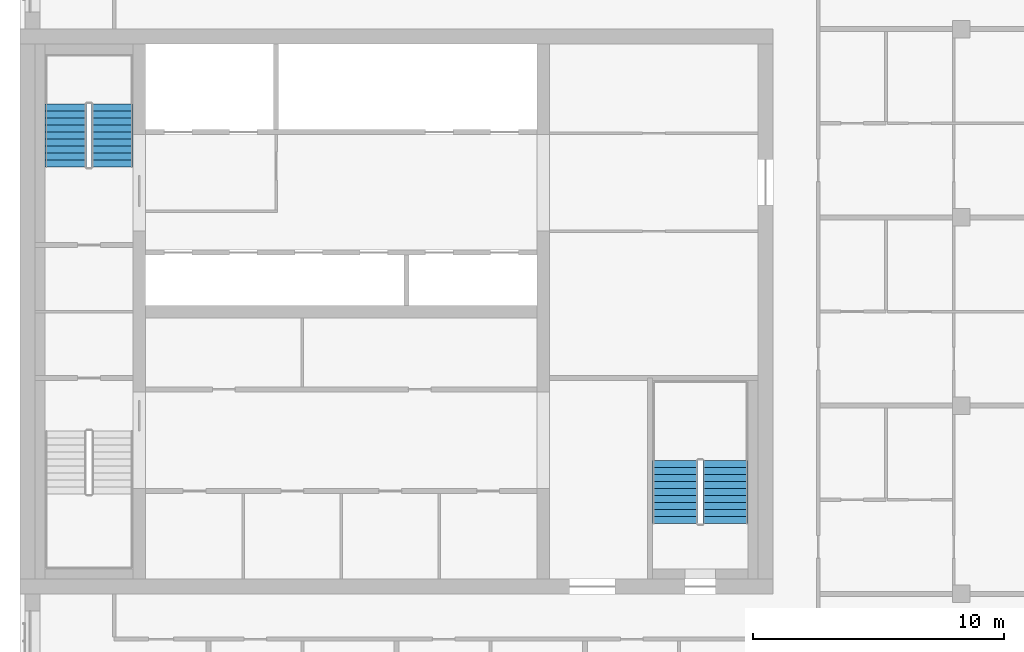
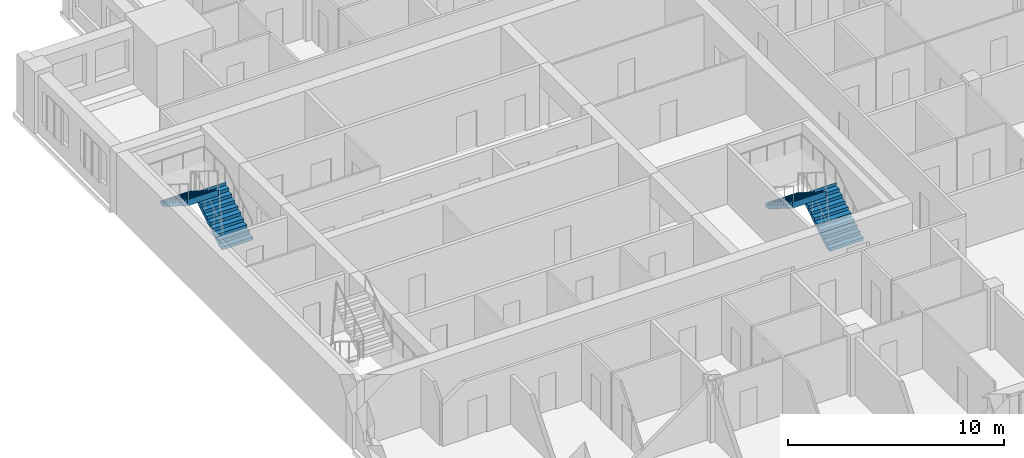
# One storey, part 9 of 10: 4 stair flights, 2 elements without a shape of their own.
"""IFC4 building model written with IfcOpenShell, lengths in metres."""

from ifc_helpers import new_model, si_unit, direction, frame, origin, place, context, subcontext, project, spatial, polyline, outline, extrude, material, type_object, element, aggregate, save


model = new_model("IFC4")

# Units and contexts
model_context = context("Model", 3, precision=1e-05, world=origin(), true_north=direction((0.0, 1.0)))
body_context = subcontext(model_context, "Body", "Model", "MODEL_VIEW")
ifc_project = project(units=[si_unit("LENGTHUNIT", "METRE"), si_unit("AREAUNIT", "SQUARE_METRE"), si_unit("VOLUMEUNIT", "CUBIC_METRE"), si_unit("PLANEANGLEUNIT", "RADIAN"), si_unit("MASSUNIT", "GRAM", prefix="KILO")], contexts=[model_context])

# Site, building, storey
site_placement = place(None, origin())
site = spatial("IfcSite", under=ifc_project, at=site_placement, CompositionType="ELEMENT")
building_placement = place(site_placement, origin())
building = spatial("IfcBuilding", under=site, at=building_placement, Name="Tamorin Gate", CompositionType="ELEMENT")
storey_placement = place(building_placement, frame((0.0, 0.0, 276.699951171875)))
storey = spatial("IfcBuildingStorey", under=building, at=storey_placement, Name="L69", CompositionType="ELEMENT", Elevation=276.699951171875)

# Stair, stair flights
ifc_material = material(Name="Concrete C40/50", Category="concrete")
stair_type = type_object("IfcStairType", Name="Exit stair", PredefinedType="HALF_TURN_STAIR", material=ifc_material)
stair_1_placement = place(storey_placement, origin())
stair_1 = element("IfcStair", 1, at=stair_1_placement, inside=storey, type_object=stair_type, Name="L69 stair ST2", PredefinedType="HALF_TURN_STAIR")
stair_flight_type = type_object("IfcStairFlightType", Name="Exit stair flight", PredefinedType="STRAIGHT", material=ifc_material)
stair_flight_1_placement = place(storey_placement, frame((33.675048828125, 77.0, 0.0), z_axis=(0.0, 0.0, 1.0), x_axis=(0.0, 1.0, 0.0)))
stair_flight_1 = element("IfcStairFlight", 2, at=stair_flight_1_placement, type_object=stair_flight_type, Name="ST2 flight 1", NumberOfRisers=10, NumberOfTreads=9, PredefinedType="STRAIGHT", RiserHeight=0.175, TreadLength=0.28, context=body_context, shape_type="SweptSolid", body=[
    extrude(outline(polyline([(-0.00048828125, 0.0), (-0.00048828125, 0.001708984375), (-0.00048828125, 0.00341796875), (-0.00048828125, 0.005126953125), (-0.00048828125, 0.0068359375), (-0.00048828125, 0.008544921875), (-0.00048828125, 0.010498046875), (-0.00048828125, 0.01220703125), (-0.00048828125, 0.013916015625), (-0.00048828125, 0.015625), (-0.00048828125, 0.017333984375), (-0.00048828125, 0.01904296875), (-0.00048828125, 0.020751953125), (-0.00048828125, 0.0224609375), (-0.00048828125, 0.024169921875), (-0.00048828125, 0.02587890625), (-0.00048828125, 0.02783203125), (-0.00048828125, 0.029541015625), (-0.00048828125, 0.03125), (-0.00048828125, 0.032958984375), (-0.00048828125, 0.03466796875), (-0.00048828125, 0.036376953125), (-0.00048828125, 0.0380859375), (-0.00048828125, 0.039794921875), (-0.00048828125, 0.04150390625), (-0.00048828125, 0.043212890625), (-0.00048828125, 0.045166015625), (-0.00048828125, 0.046875), (-0.00048828125, 0.048583984375), (-0.00048828125, 0.05029296875), (-0.00048828125, 0.052001953125), (-0.00048828125, 0.0537109375), (-0.00048828125, 0.055419921875), (-0.00048828125, 0.05712890625), (-0.00048828125, 0.058837890625), (-0.00048828125, 0.060546875), (-0.00048828125, 0.062255859375), (-0.00048828125, 0.064208984375), (-0.00048828125, 0.06591796875), (-0.00048828125, 0.067626953125), (-0.00048828125, 0.0693359375), (-0.00048828125, 0.071044921875), (-0.00048828125, 0.07275390625), (-0.00048828125, 0.074462890625), (-0.00048828125, 0.076171875), (-0.00048828125, 0.077880859375), (-0.00048828125, 0.07958984375), (-0.00048828125, 0.08154296875), (-0.00048828125, 0.083251953125), (-0.00048828125, 0.0849609375), (-0.00048828125, 0.086669921875), (-0.00048828125, 0.08837890625), (-0.00048828125, 0.090087890625), (-0.00048828125, 0.091796875), (-0.00048828125, 0.093505859375), (-0.00048828125, 0.09521484375), (-0.00048828125, 0.096923828125), (-0.00048828125, 0.098876953125), (-0.00048828125, 0.1005859375), (-0.00048828125, 0.102294921875), (-0.00048828125, 0.10400390625), (-0.00048828125, 0.105712890625), (-0.00048828125, 0.107421875), (-0.00048828125, 0.109130859375), (-0.00048828125, 0.11083984375), (-0.00048828125, 0.112548828125), (-0.00048828125, 0.1142578125), (-0.00048828125, 0.1162109375), (-0.00048828125, 0.117919921875), (-0.00048828125, 0.11962890625), (-0.00048828125, 0.121337890625), (-0.00048828125, 0.123046875), (-0.00048828125, 0.124755859375), (-0.00048828125, 0.12646484375), (-0.00048828125, 0.128173828125), (-0.00048828125, 0.1298828125), (-0.00048828125, 0.131591796875), (-0.00048828125, 0.13330078125), (-0.00048828125, 0.13525390625), (-0.00048828125, 0.136962890625), (-0.00048828125, 0.138671875), (-0.00048828125, 0.140380859375), (-0.00048828125, 0.14208984375), (-0.00048828125, 0.143798828125), (-0.00048828125, 0.1455078125), (-0.00048828125, 0.147216796875), (-0.00048828125, 0.14892578125), (-0.00048828125, 0.150634765625), (-0.00048828125, 0.152587890625), (-0.00048828125, 0.154296875), (-0.00048828125, 0.156005859375), (-0.00048828125, 0.15771484375), (-0.00048828125, 0.159423828125), (-0.00048828125, 0.1611328125), (-0.00048828125, 0.162841796875), (-0.00048828125, 0.16455078125), (-0.00048828125, 0.166259765625), (-0.00048828125, 0.16796875), (-0.00048828125, 0.169921875), (-0.00048828125, 0.171630859375), (-0.00048828125, 0.17333984375), (-0.00048828125, 0.175048828125), (0.280029296875, 0.175048828125), (0.280029296875, 0.35009765625), (0.56005859375, 0.35009765625), (0.56005859375, 0.52490234375), (0.840087890625, 0.52490234375), (0.840087890625, 0.699951171875), (1.1201171875, 0.699951171875), (1.1201171875, 0.875), (1.39990234375, 0.875), (1.39990234375, 1.050048828125), (1.679931640625, 1.050048828125), (1.679931640625, 1.22509765625), (1.9599609375, 1.22509765625), (1.9599609375, 1.39990234375), (2.239990234375, 1.39990234375), (2.239990234375, 1.574951171875), (2.52001953125, 1.574951171875), (2.52001953125, 1.75), (2.5205078125, 1.75), (2.5205078125, 1.74658203125), (2.5205078125, 1.742919921875), (2.5205078125, 1.739501953125), (2.5205078125, 1.736083984375), (2.5205078125, 1.732666015625), (2.5205078125, 1.72900390625), (2.5205078125, 1.7255859375), (2.5205078125, 1.72216796875), (2.5205078125, 1.71875), (2.5205078125, 1.715087890625), (2.5205078125, 1.711669921875), (2.5205078125, 1.708251953125), (2.5205078125, 1.704833984375), (2.5205078125, 1.701171875), (2.5205078125, 1.69775390625), (2.5205078125, 1.6943359375), (2.5205078125, 1.690673828125), (2.5205078125, 1.687255859375), (2.5205078125, 1.683837890625), (2.5205078125, 1.680419921875), (2.5205078125, 1.6767578125), (2.5205078125, 1.67333984375), (2.5205078125, 1.669921875), (2.5205078125, 1.66650390625), (2.5205078125, 1.662841796875), (2.5205078125, 1.659423828125), (2.5205078125, 1.656005859375), (2.5205078125, 1.652587890625), (2.5205078125, 1.64892578125), (2.5205078125, 1.6455078125), (2.5205078125, 1.64208984375), (2.5205078125, 1.638427734375), (2.5205078125, 1.635009765625), (2.5205078125, 1.631591796875), (2.5205078125, 1.628173828125), (2.5205078125, 1.62451171875), (2.5205078125, 1.62109375), (2.5205078125, 1.61767578125), (2.5205078125, 1.6142578125), (2.5205078125, 1.610595703125), (2.5205078125, 1.607177734375), (2.5205078125, 1.603759765625), (2.5205078125, 1.600341796875), (2.5205078125, 1.5966796875), (2.5205078125, 1.59326171875), (2.5205078125, 1.58984375), (2.5205078125, 1.58642578125), (2.5205078125, 1.582763671875), (2.5205078125, 1.579345703125), (2.5205078125, 1.575927734375), (2.5205078125, 1.572265625), (2.5205078125, 1.56884765625), (2.5205078125, 1.5654296875), (2.5205078125, 1.56201171875), (2.5205078125, 1.558349609375), (2.5205078125, 1.554931640625), (2.5205078125, 1.551513671875), (2.5205078125, 1.548095703125), (2.5205078125, 1.54443359375), (2.5205078125, 1.541015625), (2.5205078125, 1.53759765625), (2.5205078125, 1.5341796875), (2.5205078125, 1.530517578125), (2.5205078125, 1.527099609375), (2.5205078125, 1.523681640625), (2.5205078125, 1.52001953125), (2.5205078125, 1.5166015625), (2.5205078125, 1.51318359375), (2.5205078125, 1.509765625), (2.5205078125, 1.506103515625), (2.5205078125, 1.502685546875), (2.5205078125, 1.499267578125), (2.5205078125, 1.495849609375), (2.5205078125, 1.4921875), (2.5205078125, 1.48876953125), (2.5205078125, 1.4853515625), (2.5205078125, 1.48193359375), (2.5205078125, 1.478271484375), (2.5205078125, 1.474853515625), (2.5205078125, 1.471435546875), (2.5205078125, 1.4677734375), (2.5205078125, 1.46435546875), (2.5205078125, 1.4609375), (2.5205078125, 1.45751953125), (2.5205078125, 1.453857421875), (2.5205078125, 1.450439453125), (2.5205078125, 1.447021484375), (2.5205078125, 1.443603515625), (2.5205078125, 1.43994140625), (2.5205078125, 1.4365234375), (2.5205078125, 1.43310546875), (2.5205078125, 1.4296875), (2.5205078125, 1.426025390625), (2.5205078125, 1.422607421875), (2.5205078125, 1.419189453125), (2.5205078125, 1.41552734375), (2.5205078125, 1.412109375), (2.5205078125, 1.40869140625), (2.5205078125, 1.4052734375), (2.5205078125, 1.401611328125), (2.5205078125, 1.398193359375), (2.52001953125, 1.398193359375), (0.28271484375, 0.0), (-0.00048828125, 0.0)])), frame((0.0, 0.824951171875, 0.0), z_axis=(0.0, -1.0, 0.0), x_axis=(1.0, 0.0, 0.0)), (0.0, 0.0, 1.0), 1.64990234375),
])
stair_flight_2_placement = place(storey_placement, frame((31.824951171875, 79.52001953125, 1.75), z_axis=(0.0, 0.0, 1.0), x_axis=(0.0, -1.0, 0.0)))
stair_flight_2 = element("IfcStairFlight", 3, at=stair_flight_2_placement, type_object=stair_flight_type, Name="ST2 flight 2", NumberOfRisers=10, NumberOfTreads=9, PredefinedType="STRAIGHT", RiserHeight=0.175, TreadLength=0.28, context=body_context, shape_type="SweptSolid", body=[
    extrude(outline(polyline([(-0.00048828125, 0.0), (-0.00048828125, 0.001708984375), (-0.00048828125, 0.00341796875), (-0.00048828125, 0.005126953125), (-0.00048828125, 0.0068359375), (-0.00048828125, 0.008544921875), (-0.00048828125, 0.010498046875), (-0.00048828125, 0.01220703125), (-0.00048828125, 0.013916015625), (-0.00048828125, 0.015625), (-0.00048828125, 0.017333984375), (-0.00048828125, 0.01904296875), (-0.00048828125, 0.020751953125), (-0.00048828125, 0.0224609375), (-0.00048828125, 0.024169921875), (-0.00048828125, 0.02587890625), (-0.00048828125, 0.02783203125), (-0.00048828125, 0.029541015625), (-0.00048828125, 0.03125), (-0.00048828125, 0.032958984375), (-0.00048828125, 0.03466796875), (-0.00048828125, 0.036376953125), (-0.00048828125, 0.0380859375), (-0.00048828125, 0.039794921875), (-0.00048828125, 0.04150390625), (-0.00048828125, 0.043212890625), (-0.00048828125, 0.045166015625), (-0.00048828125, 0.046875), (-0.00048828125, 0.048583984375), (-0.00048828125, 0.05029296875), (-0.00048828125, 0.052001953125), (-0.00048828125, 0.0537109375), (-0.00048828125, 0.055419921875), (-0.00048828125, 0.05712890625), (-0.00048828125, 0.058837890625), (-0.00048828125, 0.060546875), (-0.00048828125, 0.062255859375), (-0.00048828125, 0.064208984375), (-0.00048828125, 0.06591796875), (-0.00048828125, 0.067626953125), (-0.00048828125, 0.0693359375), (-0.00048828125, 0.071044921875), (-0.00048828125, 0.07275390625), (-0.00048828125, 0.074462890625), (-0.00048828125, 0.076171875), (-0.00048828125, 0.077880859375), (-0.00048828125, 0.07958984375), (-0.00048828125, 0.08154296875), (-0.00048828125, 0.083251953125), (-0.00048828125, 0.0849609375), (-0.00048828125, 0.086669921875), (-0.00048828125, 0.08837890625), (-0.00048828125, 0.090087890625), (-0.00048828125, 0.091796875), (-0.00048828125, 0.093505859375), (-0.00048828125, 0.09521484375), (-0.00048828125, 0.096923828125), (-0.00048828125, 0.098876953125), (-0.00048828125, 0.1005859375), (-0.00048828125, 0.102294921875), (-0.00048828125, 0.10400390625), (-0.00048828125, 0.105712890625), (-0.00048828125, 0.107421875), (-0.00048828125, 0.109130859375), (-0.00048828125, 0.11083984375), (-0.00048828125, 0.112548828125), (-0.00048828125, 0.1142578125), (-0.00048828125, 0.1162109375), (-0.00048828125, 0.117919921875), (-0.00048828125, 0.11962890625), (-0.00048828125, 0.121337890625), (-0.00048828125, 0.123046875), (-0.00048828125, 0.124755859375), (-0.00048828125, 0.12646484375), (-0.00048828125, 0.128173828125), (-0.00048828125, 0.1298828125), (-0.00048828125, 0.131591796875), (-0.00048828125, 0.13330078125), (-0.00048828125, 0.13525390625), (-0.00048828125, 0.136962890625), (-0.00048828125, 0.138671875), (-0.00048828125, 0.140380859375), (-0.00048828125, 0.14208984375), (-0.00048828125, 0.143798828125), (-0.00048828125, 0.1455078125), (-0.00048828125, 0.147216796875), (-0.00048828125, 0.14892578125), (-0.00048828125, 0.150634765625), (-0.00048828125, 0.152587890625), (-0.00048828125, 0.154296875), (-0.00048828125, 0.156005859375), (-0.00048828125, 0.15771484375), (-0.00048828125, 0.159423828125), (-0.00048828125, 0.1611328125), (-0.00048828125, 0.162841796875), (-0.00048828125, 0.16455078125), (-0.00048828125, 0.166259765625), (-0.00048828125, 0.16796875), (-0.00048828125, 0.169921875), (-0.00048828125, 0.171630859375), (-0.00048828125, 0.17333984375), (-0.00048828125, 0.175048828125), (0.280029296875, 0.175048828125), (0.280029296875, 0.35009765625), (0.56005859375, 0.35009765625), (0.56005859375, 0.52490234375), (0.840087890625, 0.52490234375), (0.840087890625, 0.699951171875), (1.1201171875, 0.699951171875), (1.1201171875, 0.875), (1.39990234375, 0.875), (1.39990234375, 1.050048828125), (1.679931640625, 1.050048828125), (1.679931640625, 1.22509765625), (1.9599609375, 1.22509765625), (1.9599609375, 1.39990234375), (2.239990234375, 1.39990234375), (2.239990234375, 1.574951171875), (2.52001953125, 1.574951171875), (2.52001953125, 1.75), (2.5205078125, 1.75), (2.5205078125, 1.74658203125), (2.5205078125, 1.742919921875), (2.5205078125, 1.739501953125), (2.5205078125, 1.736083984375), (2.5205078125, 1.732666015625), (2.5205078125, 1.72900390625), (2.5205078125, 1.7255859375), (2.5205078125, 1.72216796875), (2.5205078125, 1.71875), (2.5205078125, 1.715087890625), (2.5205078125, 1.711669921875), (2.5205078125, 1.708251953125), (2.5205078125, 1.704833984375), (2.5205078125, 1.701171875), (2.5205078125, 1.69775390625), (2.5205078125, 1.6943359375), (2.5205078125, 1.690673828125), (2.5205078125, 1.687255859375), (2.5205078125, 1.683837890625), (2.5205078125, 1.680419921875), (2.5205078125, 1.6767578125), (2.5205078125, 1.67333984375), (2.5205078125, 1.669921875), (2.5205078125, 1.66650390625), (2.5205078125, 1.662841796875), (2.5205078125, 1.659423828125), (2.5205078125, 1.656005859375), (2.5205078125, 1.652587890625), (2.5205078125, 1.64892578125), (2.5205078125, 1.6455078125), (2.5205078125, 1.64208984375), (2.5205078125, 1.638427734375), (2.5205078125, 1.635009765625), (2.5205078125, 1.631591796875), (2.5205078125, 1.628173828125), (2.5205078125, 1.62451171875), (2.5205078125, 1.62109375), (2.5205078125, 1.61767578125), (2.5205078125, 1.6142578125), (2.5205078125, 1.610595703125), (2.5205078125, 1.607177734375), (2.5205078125, 1.603759765625), (2.5205078125, 1.600341796875), (2.5205078125, 1.5966796875), (2.5205078125, 1.59326171875), (2.5205078125, 1.58984375), (2.5205078125, 1.58642578125), (2.5205078125, 1.582763671875), (2.5205078125, 1.579345703125), (2.5205078125, 1.575927734375), (2.5205078125, 1.572265625), (2.5205078125, 1.56884765625), (2.5205078125, 1.5654296875), (2.5205078125, 1.56201171875), (2.5205078125, 1.558349609375), (2.5205078125, 1.554931640625), (2.5205078125, 1.551513671875), (2.5205078125, 1.548095703125), (2.5205078125, 1.54443359375), (2.5205078125, 1.541015625), (2.5205078125, 1.53759765625), (2.5205078125, 1.5341796875), (2.5205078125, 1.530517578125), (2.5205078125, 1.527099609375), (2.5205078125, 1.523681640625), (2.5205078125, 1.52001953125), (2.5205078125, 1.5166015625), (2.5205078125, 1.51318359375), (2.5205078125, 1.509765625), (2.5205078125, 1.506103515625), (2.5205078125, 1.502685546875), (2.5205078125, 1.499267578125), (2.5205078125, 1.495849609375), (2.5205078125, 1.4921875), (2.5205078125, 1.48876953125), (2.5205078125, 1.4853515625), (2.5205078125, 1.48193359375), (2.5205078125, 1.478271484375), (2.5205078125, 1.474853515625), (2.5205078125, 1.471435546875), (2.5205078125, 1.4677734375), (2.5205078125, 1.46435546875), (2.5205078125, 1.4609375), (2.5205078125, 1.45751953125), (2.5205078125, 1.453857421875), (2.5205078125, 1.450439453125), (2.5205078125, 1.447021484375), (2.5205078125, 1.443603515625), (2.5205078125, 1.43994140625), (2.5205078125, 1.4365234375), (2.5205078125, 1.43310546875), (2.5205078125, 1.4296875), (2.5205078125, 1.426025390625), (2.5205078125, 1.422607421875), (2.5205078125, 1.419189453125), (2.5205078125, 1.41552734375), (2.5205078125, 1.412109375), (2.5205078125, 1.40869140625), (2.5205078125, 1.4052734375), (2.5205078125, 1.401611328125), (2.5205078125, 1.398193359375), (2.52001953125, 1.398193359375), (0.28271484375, 0.0), (-0.00048828125, 0.0)])), frame((0.0, 0.824951171875, 0.0), z_axis=(0.0, -1.0, 0.0), x_axis=(1.0, 0.0, 0.0)), (0.0, 0.0, 1.0), 1.64990234375),
])
aggregate(stair_1, [stair_flight_1, stair_flight_2])

stair_2_placement = place(storey_placement, origin())
stair_2 = element("IfcStair", 4, at=stair_2_placement, inside=storey, type_object=stair_type, Name="L69 stair ST3", PredefinedType="HALF_TURN_STAIR")
stair_flight_3_placement = place(storey_placement, frame((58.10009765625, 62.800048828125, 0.0), z_axis=(0.0, 0.0, 1.0), x_axis=(0.0, 1.0, 0.0)))
stair_flight_3 = element("IfcStairFlight", 5, at=stair_flight_3_placement, type_object=stair_flight_type, Name="ST3 flight 1", NumberOfRisers=10, NumberOfTreads=9, PredefinedType="STRAIGHT", RiserHeight=0.175, TreadLength=0.28, context=body_context, shape_type="SweptSolid", body=[
    extrude(outline(polyline([(-0.00048828125, 0.0), (-0.00048828125, 0.001708984375), (-0.00048828125, 0.00341796875), (-0.00048828125, 0.005126953125), (-0.00048828125, 0.0068359375), (-0.00048828125, 0.008544921875), (-0.00048828125, 0.010498046875), (-0.00048828125, 0.01220703125), (-0.00048828125, 0.013916015625), (-0.00048828125, 0.015625), (-0.00048828125, 0.017333984375), (-0.00048828125, 0.01904296875), (-0.00048828125, 0.020751953125), (-0.00048828125, 0.0224609375), (-0.00048828125, 0.024169921875), (-0.00048828125, 0.02587890625), (-0.00048828125, 0.02783203125), (-0.00048828125, 0.029541015625), (-0.00048828125, 0.03125), (-0.00048828125, 0.032958984375), (-0.00048828125, 0.03466796875), (-0.00048828125, 0.036376953125), (-0.00048828125, 0.0380859375), (-0.00048828125, 0.039794921875), (-0.00048828125, 0.04150390625), (-0.00048828125, 0.043212890625), (-0.00048828125, 0.045166015625), (-0.00048828125, 0.046875), (-0.00048828125, 0.048583984375), (-0.00048828125, 0.05029296875), (-0.00048828125, 0.052001953125), (-0.00048828125, 0.0537109375), (-0.00048828125, 0.055419921875), (-0.00048828125, 0.05712890625), (-0.00048828125, 0.058837890625), (-0.00048828125, 0.060546875), (-0.00048828125, 0.062255859375), (-0.00048828125, 0.064208984375), (-0.00048828125, 0.06591796875), (-0.00048828125, 0.067626953125), (-0.00048828125, 0.0693359375), (-0.00048828125, 0.071044921875), (-0.00048828125, 0.07275390625), (-0.00048828125, 0.074462890625), (-0.00048828125, 0.076171875), (-0.00048828125, 0.077880859375), (-0.00048828125, 0.07958984375), (-0.00048828125, 0.08154296875), (-0.00048828125, 0.083251953125), (-0.00048828125, 0.0849609375), (-0.00048828125, 0.086669921875), (-0.00048828125, 0.08837890625), (-0.00048828125, 0.090087890625), (-0.00048828125, 0.091796875), (-0.00048828125, 0.093505859375), (-0.00048828125, 0.09521484375), (-0.00048828125, 0.096923828125), (-0.00048828125, 0.098876953125), (-0.00048828125, 0.1005859375), (-0.00048828125, 0.102294921875), (-0.00048828125, 0.10400390625), (-0.00048828125, 0.105712890625), (-0.00048828125, 0.107421875), (-0.00048828125, 0.109130859375), (-0.00048828125, 0.11083984375), (-0.00048828125, 0.112548828125), (-0.00048828125, 0.1142578125), (-0.00048828125, 0.1162109375), (-0.00048828125, 0.117919921875), (-0.00048828125, 0.11962890625), (-0.00048828125, 0.121337890625), (-0.00048828125, 0.123046875), (-0.00048828125, 0.124755859375), (-0.00048828125, 0.12646484375), (-0.00048828125, 0.128173828125), (-0.00048828125, 0.1298828125), (-0.00048828125, 0.131591796875), (-0.00048828125, 0.13330078125), (-0.00048828125, 0.13525390625), (-0.00048828125, 0.136962890625), (-0.00048828125, 0.138671875), (-0.00048828125, 0.140380859375), (-0.00048828125, 0.14208984375), (-0.00048828125, 0.143798828125), (-0.00048828125, 0.1455078125), (-0.00048828125, 0.147216796875), (-0.00048828125, 0.14892578125), (-0.00048828125, 0.150634765625), (-0.00048828125, 0.152587890625), (-0.00048828125, 0.154296875), (-0.00048828125, 0.156005859375), (-0.00048828125, 0.15771484375), (-0.00048828125, 0.159423828125), (-0.00048828125, 0.1611328125), (-0.00048828125, 0.162841796875), (-0.00048828125, 0.16455078125), (-0.00048828125, 0.166259765625), (-0.00048828125, 0.16796875), (-0.00048828125, 0.169921875), (-0.00048828125, 0.171630859375), (-0.00048828125, 0.17333984375), (-0.00048828125, 0.175048828125), (0.280029296875, 0.175048828125), (0.280029296875, 0.35009765625), (0.56005859375, 0.35009765625), (0.56005859375, 0.52490234375), (0.840087890625, 0.52490234375), (0.840087890625, 0.699951171875), (1.1201171875, 0.699951171875), (1.1201171875, 0.875), (1.39990234375, 0.875), (1.39990234375, 1.050048828125), (1.679931640625, 1.050048828125), (1.679931640625, 1.22509765625), (1.9599609375, 1.22509765625), (1.9599609375, 1.39990234375), (2.239990234375, 1.39990234375), (2.239990234375, 1.574951171875), (2.52001953125, 1.574951171875), (2.52001953125, 1.75), (2.5205078125, 1.75), (2.5205078125, 1.74658203125), (2.5205078125, 1.742919921875), (2.5205078125, 1.739501953125), (2.5205078125, 1.736083984375), (2.5205078125, 1.732666015625), (2.5205078125, 1.72900390625), (2.5205078125, 1.7255859375), (2.5205078125, 1.72216796875), (2.5205078125, 1.71875), (2.5205078125, 1.715087890625), (2.5205078125, 1.711669921875), (2.5205078125, 1.708251953125), (2.5205078125, 1.704833984375), (2.5205078125, 1.701171875), (2.5205078125, 1.69775390625), (2.5205078125, 1.6943359375), (2.5205078125, 1.690673828125), (2.5205078125, 1.687255859375), (2.5205078125, 1.683837890625), (2.5205078125, 1.680419921875), (2.5205078125, 1.6767578125), (2.5205078125, 1.67333984375), (2.5205078125, 1.669921875), (2.5205078125, 1.66650390625), (2.5205078125, 1.662841796875), (2.5205078125, 1.659423828125), (2.5205078125, 1.656005859375), (2.5205078125, 1.652587890625), (2.5205078125, 1.64892578125), (2.5205078125, 1.6455078125), (2.5205078125, 1.64208984375), (2.5205078125, 1.638427734375), (2.5205078125, 1.635009765625), (2.5205078125, 1.631591796875), (2.5205078125, 1.628173828125), (2.5205078125, 1.62451171875), (2.5205078125, 1.62109375), (2.5205078125, 1.61767578125), (2.5205078125, 1.6142578125), (2.5205078125, 1.610595703125), (2.5205078125, 1.607177734375), (2.5205078125, 1.603759765625), (2.5205078125, 1.600341796875), (2.5205078125, 1.5966796875), (2.5205078125, 1.59326171875), (2.5205078125, 1.58984375), (2.5205078125, 1.58642578125), (2.5205078125, 1.582763671875), (2.5205078125, 1.579345703125), (2.5205078125, 1.575927734375), (2.5205078125, 1.572265625), (2.5205078125, 1.56884765625), (2.5205078125, 1.5654296875), (2.5205078125, 1.56201171875), (2.5205078125, 1.558349609375), (2.5205078125, 1.554931640625), (2.5205078125, 1.551513671875), (2.5205078125, 1.548095703125), (2.5205078125, 1.54443359375), (2.5205078125, 1.541015625), (2.5205078125, 1.53759765625), (2.5205078125, 1.5341796875), (2.5205078125, 1.530517578125), (2.5205078125, 1.527099609375), (2.5205078125, 1.523681640625), (2.5205078125, 1.52001953125), (2.5205078125, 1.5166015625), (2.5205078125, 1.51318359375), (2.5205078125, 1.509765625), (2.5205078125, 1.506103515625), (2.5205078125, 1.502685546875), (2.5205078125, 1.499267578125), (2.5205078125, 1.495849609375), (2.5205078125, 1.4921875), (2.5205078125, 1.48876953125), (2.5205078125, 1.4853515625), (2.5205078125, 1.48193359375), (2.5205078125, 1.478271484375), (2.5205078125, 1.474853515625), (2.5205078125, 1.471435546875), (2.5205078125, 1.4677734375), (2.5205078125, 1.46435546875), (2.5205078125, 1.4609375), (2.5205078125, 1.45751953125), (2.5205078125, 1.453857421875), (2.5205078125, 1.450439453125), (2.5205078125, 1.447021484375), (2.5205078125, 1.443603515625), (2.5205078125, 1.43994140625), (2.5205078125, 1.4365234375), (2.5205078125, 1.43310546875), (2.5205078125, 1.4296875), (2.5205078125, 1.426025390625), (2.5205078125, 1.422607421875), (2.5205078125, 1.419189453125), (2.5205078125, 1.41552734375), (2.5205078125, 1.412109375), (2.5205078125, 1.40869140625), (2.5205078125, 1.4052734375), (2.5205078125, 1.401611328125), (2.5205078125, 1.398193359375), (2.52001953125, 1.398193359375), (0.28271484375, 0.0), (-0.00048828125, 0.0)])), frame((0.0, 0.89990234375, 0.0), z_axis=(0.0, -1.0, 0.0), x_axis=(1.0, 0.0, 0.0)), (0.0, 0.0, 1.0), 1.800048828125),
])
stair_flight_4_placement = place(storey_placement, frame((56.10009765625, 65.320068359375, 1.75), z_axis=(0.0, 0.0, 1.0), x_axis=(0.0, -1.0, 0.0)))
stair_flight_4 = element("IfcStairFlight", 6, at=stair_flight_4_placement, type_object=stair_flight_type, Name="ST3 flight 2", NumberOfRisers=10, NumberOfTreads=9, PredefinedType="STRAIGHT", RiserHeight=0.175, TreadLength=0.28, context=body_context, shape_type="SweptSolid", body=[
    extrude(outline(polyline([(-0.00048828125, 0.0), (-0.00048828125, 0.001708984375), (-0.00048828125, 0.00341796875), (-0.00048828125, 0.005126953125), (-0.00048828125, 0.0068359375), (-0.00048828125, 0.008544921875), (-0.00048828125, 0.010498046875), (-0.00048828125, 0.01220703125), (-0.00048828125, 0.013916015625), (-0.00048828125, 0.015625), (-0.00048828125, 0.017333984375), (-0.00048828125, 0.01904296875), (-0.00048828125, 0.020751953125), (-0.00048828125, 0.0224609375), (-0.00048828125, 0.024169921875), (-0.00048828125, 0.02587890625), (-0.00048828125, 0.02783203125), (-0.00048828125, 0.029541015625), (-0.00048828125, 0.03125), (-0.00048828125, 0.032958984375), (-0.00048828125, 0.03466796875), (-0.00048828125, 0.036376953125), (-0.00048828125, 0.0380859375), (-0.00048828125, 0.039794921875), (-0.00048828125, 0.04150390625), (-0.00048828125, 0.043212890625), (-0.00048828125, 0.045166015625), (-0.00048828125, 0.046875), (-0.00048828125, 0.048583984375), (-0.00048828125, 0.05029296875), (-0.00048828125, 0.052001953125), (-0.00048828125, 0.0537109375), (-0.00048828125, 0.055419921875), (-0.00048828125, 0.05712890625), (-0.00048828125, 0.058837890625), (-0.00048828125, 0.060546875), (-0.00048828125, 0.062255859375), (-0.00048828125, 0.064208984375), (-0.00048828125, 0.06591796875), (-0.00048828125, 0.067626953125), (-0.00048828125, 0.0693359375), (-0.00048828125, 0.071044921875), (-0.00048828125, 0.07275390625), (-0.00048828125, 0.074462890625), (-0.00048828125, 0.076171875), (-0.00048828125, 0.077880859375), (-0.00048828125, 0.07958984375), (-0.00048828125, 0.08154296875), (-0.00048828125, 0.083251953125), (-0.00048828125, 0.0849609375), (-0.00048828125, 0.086669921875), (-0.00048828125, 0.08837890625), (-0.00048828125, 0.090087890625), (-0.00048828125, 0.091796875), (-0.00048828125, 0.093505859375), (-0.00048828125, 0.09521484375), (-0.00048828125, 0.096923828125), (-0.00048828125, 0.098876953125), (-0.00048828125, 0.1005859375), (-0.00048828125, 0.102294921875), (-0.00048828125, 0.10400390625), (-0.00048828125, 0.105712890625), (-0.00048828125, 0.107421875), (-0.00048828125, 0.109130859375), (-0.00048828125, 0.11083984375), (-0.00048828125, 0.112548828125), (-0.00048828125, 0.1142578125), (-0.00048828125, 0.1162109375), (-0.00048828125, 0.117919921875), (-0.00048828125, 0.11962890625), (-0.00048828125, 0.121337890625), (-0.00048828125, 0.123046875), (-0.00048828125, 0.124755859375), (-0.00048828125, 0.12646484375), (-0.00048828125, 0.128173828125), (-0.00048828125, 0.1298828125), (-0.00048828125, 0.131591796875), (-0.00048828125, 0.13330078125), (-0.00048828125, 0.13525390625), (-0.00048828125, 0.136962890625), (-0.00048828125, 0.138671875), (-0.00048828125, 0.140380859375), (-0.00048828125, 0.14208984375), (-0.00048828125, 0.143798828125), (-0.00048828125, 0.1455078125), (-0.00048828125, 0.147216796875), (-0.00048828125, 0.14892578125), (-0.00048828125, 0.150634765625), (-0.00048828125, 0.152587890625), (-0.00048828125, 0.154296875), (-0.00048828125, 0.156005859375), (-0.00048828125, 0.15771484375), (-0.00048828125, 0.159423828125), (-0.00048828125, 0.1611328125), (-0.00048828125, 0.162841796875), (-0.00048828125, 0.16455078125), (-0.00048828125, 0.166259765625), (-0.00048828125, 0.16796875), (-0.00048828125, 0.169921875), (-0.00048828125, 0.171630859375), (-0.00048828125, 0.17333984375), (-0.00048828125, 0.175048828125), (0.280029296875, 0.175048828125), (0.280029296875, 0.35009765625), (0.56005859375, 0.35009765625), (0.56005859375, 0.52490234375), (0.840087890625, 0.52490234375), (0.840087890625, 0.699951171875), (1.1201171875, 0.699951171875), (1.1201171875, 0.875), (1.39990234375, 0.875), (1.39990234375, 1.050048828125), (1.679931640625, 1.050048828125), (1.679931640625, 1.22509765625), (1.9599609375, 1.22509765625), (1.9599609375, 1.39990234375), (2.239990234375, 1.39990234375), (2.239990234375, 1.574951171875), (2.52001953125, 1.574951171875), (2.52001953125, 1.75), (2.5205078125, 1.75), (2.5205078125, 1.74658203125), (2.5205078125, 1.742919921875), (2.5205078125, 1.739501953125), (2.5205078125, 1.736083984375), (2.5205078125, 1.732666015625), (2.5205078125, 1.72900390625), (2.5205078125, 1.7255859375), (2.5205078125, 1.72216796875), (2.5205078125, 1.71875), (2.5205078125, 1.715087890625), (2.5205078125, 1.711669921875), (2.5205078125, 1.708251953125), (2.5205078125, 1.704833984375), (2.5205078125, 1.701171875), (2.5205078125, 1.69775390625), (2.5205078125, 1.6943359375), (2.5205078125, 1.690673828125), (2.5205078125, 1.687255859375), (2.5205078125, 1.683837890625), (2.5205078125, 1.680419921875), (2.5205078125, 1.6767578125), (2.5205078125, 1.67333984375), (2.5205078125, 1.669921875), (2.5205078125, 1.66650390625), (2.5205078125, 1.662841796875), (2.5205078125, 1.659423828125), (2.5205078125, 1.656005859375), (2.5205078125, 1.652587890625), (2.5205078125, 1.64892578125), (2.5205078125, 1.6455078125), (2.5205078125, 1.64208984375), (2.5205078125, 1.638427734375), (2.5205078125, 1.635009765625), (2.5205078125, 1.631591796875), (2.5205078125, 1.628173828125), (2.5205078125, 1.62451171875), (2.5205078125, 1.62109375), (2.5205078125, 1.61767578125), (2.5205078125, 1.6142578125), (2.5205078125, 1.610595703125), (2.5205078125, 1.607177734375), (2.5205078125, 1.603759765625), (2.5205078125, 1.600341796875), (2.5205078125, 1.5966796875), (2.5205078125, 1.59326171875), (2.5205078125, 1.58984375), (2.5205078125, 1.58642578125), (2.5205078125, 1.582763671875), (2.5205078125, 1.579345703125), (2.5205078125, 1.575927734375), (2.5205078125, 1.572265625), (2.5205078125, 1.56884765625), (2.5205078125, 1.5654296875), (2.5205078125, 1.56201171875), (2.5205078125, 1.558349609375), (2.5205078125, 1.554931640625), (2.5205078125, 1.551513671875), (2.5205078125, 1.548095703125), (2.5205078125, 1.54443359375), (2.5205078125, 1.541015625), (2.5205078125, 1.53759765625), (2.5205078125, 1.5341796875), (2.5205078125, 1.530517578125), (2.5205078125, 1.527099609375), (2.5205078125, 1.523681640625), (2.5205078125, 1.52001953125), (2.5205078125, 1.5166015625), (2.5205078125, 1.51318359375), (2.5205078125, 1.509765625), (2.5205078125, 1.506103515625), (2.5205078125, 1.502685546875), (2.5205078125, 1.499267578125), (2.5205078125, 1.495849609375), (2.5205078125, 1.4921875), (2.5205078125, 1.48876953125), (2.5205078125, 1.4853515625), (2.5205078125, 1.48193359375), (2.5205078125, 1.478271484375), (2.5205078125, 1.474853515625), (2.5205078125, 1.471435546875), (2.5205078125, 1.4677734375), (2.5205078125, 1.46435546875), (2.5205078125, 1.4609375), (2.5205078125, 1.45751953125), (2.5205078125, 1.453857421875), (2.5205078125, 1.450439453125), (2.5205078125, 1.447021484375), (2.5205078125, 1.443603515625), (2.5205078125, 1.43994140625), (2.5205078125, 1.4365234375), (2.5205078125, 1.43310546875), (2.5205078125, 1.4296875), (2.5205078125, 1.426025390625), (2.5205078125, 1.422607421875), (2.5205078125, 1.419189453125), (2.5205078125, 1.41552734375), (2.5205078125, 1.412109375), (2.5205078125, 1.40869140625), (2.5205078125, 1.4052734375), (2.5205078125, 1.401611328125), (2.5205078125, 1.398193359375), (2.52001953125, 1.398193359375), (0.28271484375, 0.0), (-0.00048828125, 0.0)])), frame((0.0, 0.89990234375, 0.0), z_axis=(0.0, -1.0, 0.0), x_axis=(1.0, 0.0, 0.0)), (0.0, 0.0, 1.0), 1.800048828125),
])
aggregate(stair_2, [stair_flight_3, stair_flight_4])

save(model, "model.ifc")
